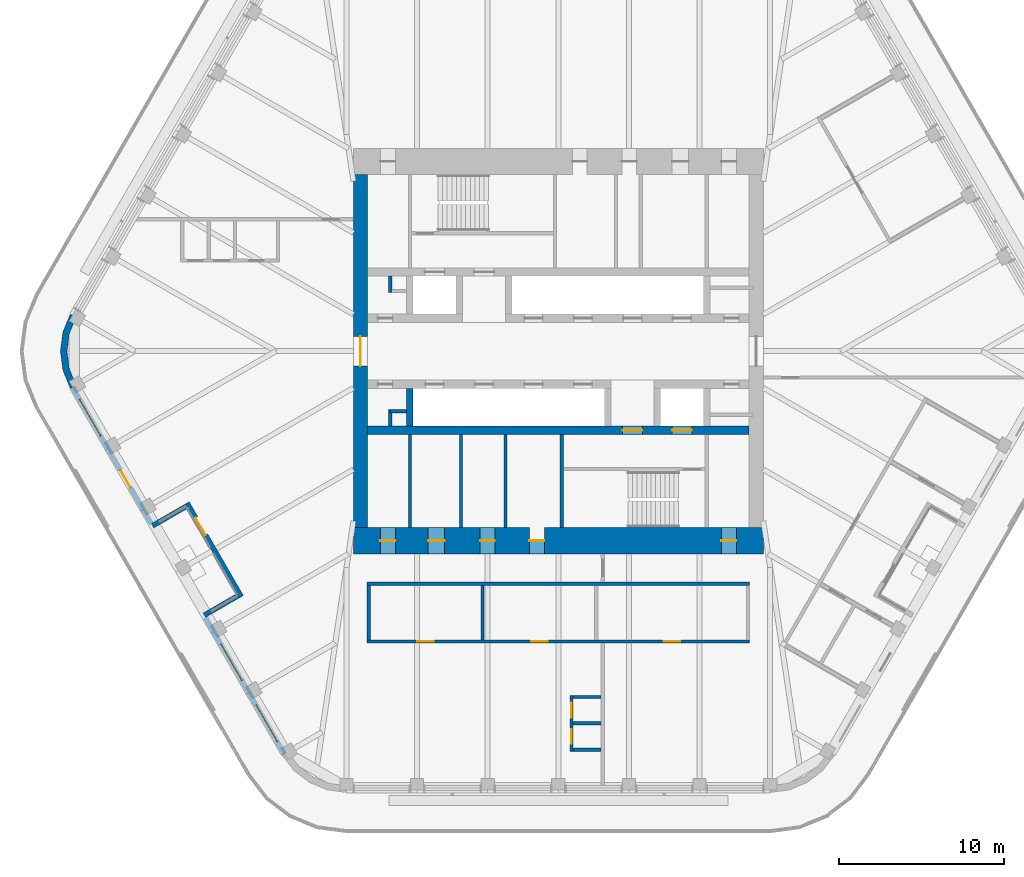
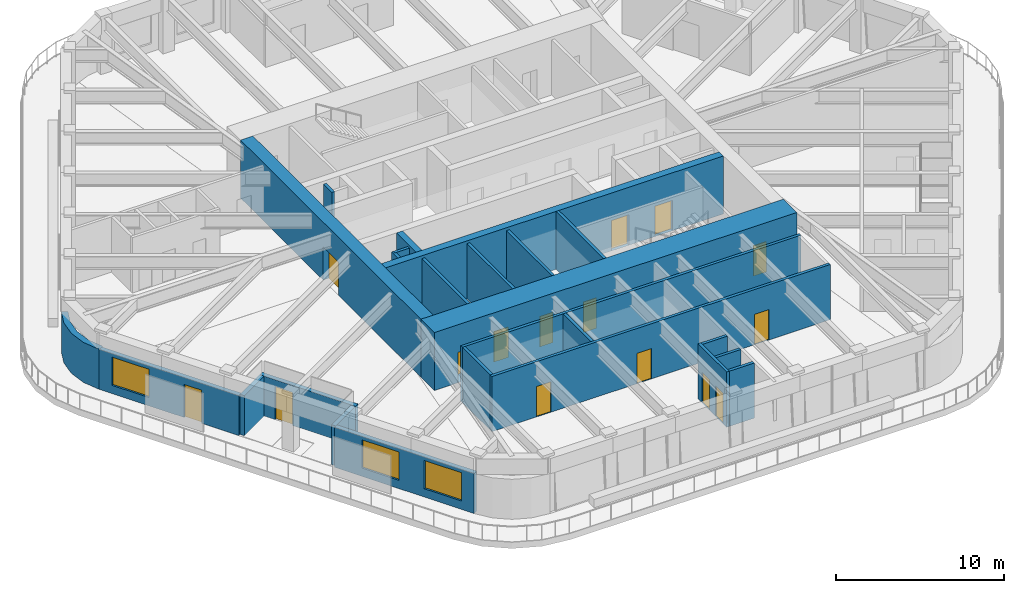
# One storey, part 13 of 20: 25 walls, 15 doors, 3 windows, 18 openings.
"""IFC4 building model written with IfcOpenShell, lengths in metres."""

import ifcopenshell
import ifcopenshell.guid

model = None  # the IFC model being written
_history = None  # IfcOwnerHistory: only IFC2X3 demands one
_inside = {}  # id of a spatial element -> (the spatial element, [elements in it])
_under = {}  # id of a project, library or spatial element -> (it, [spatial elements below it])
_declared = {}  # id of a project -> (the project, [libraries it declares])
_typed = {}  # id of a type object -> (the type object, [elements of that type])
_made_of = {}  # id of a material, layer set ... -> (it, [elements and type objects made of it])


def new_model(schema):
    """Start an empty IFC model of exactly this schema.

    Asked for "IFC4X3", IfcOpenShell would pick the latest addendum, in which some entities
    have other attributes; the version numbers below select the first issue.
    IFC2X3 requires an IfcOwnerHistory on every rooted entity: one is made here for all.
    """
    global model, _history
    if schema == "IFC4X3":
        model = ifcopenshell.file(schema_version=(4, 3, 0, 0))
    else:
        model = ifcopenshell.file(schema=schema)
    _inside.clear()
    _under.clear()
    _declared.clear()
    _typed.clear()
    _made_of.clear()
    _history = None
    if model.schema == "IFC2X3":
        org = make("IfcOrganization", Name="unknown")
        user = make(
            "IfcPersonAndOrganization",
            ThePerson=make("IfcPerson", FamilyName="unknown"),
            TheOrganization=org,
        )
        app = make(
            "IfcApplication",
            ApplicationDeveloper=org,
            Version="unknown",
            ApplicationFullName="unknown",
            ApplicationIdentifier="unknown",
        )
        _history = make(
            "IfcOwnerHistory",
            OwningUser=user,
            OwningApplication=app,
            ChangeAction="ADDED",
            CreationDate=0,
        )
    return model


def make(cls, **values):
    """One entity of the class cls with the attributes given. An attribute that is None is left unset."""
    return model.create_entity(
        cls, **{name: value for name, value in values.items() if value is not None}
    )


def rooted(cls, **values):
    """An entity with a GlobalId (a new one), such as an element, a storey or a relation."""
    return make(cls, GlobalId=ifcopenshell.guid.new(), OwnerHistory=_history, **values)


def si_unit(unit_type, name, prefix=None):
    """IfcSIUnit, for example si_unit("LENGTHUNIT", "METRE", prefix="MILLI")."""
    return make("IfcSIUnit", UnitType=unit_type, Prefix=prefix, Name=name)


def assignment(units):
    """IfcUnitAssignment: the units of a project."""
    return None if units is None else make("IfcUnitAssignment", Units=units)


def point(xyz):
    """IfcCartesianPoint."""
    return None if xyz is None else make("IfcCartesianPoint", Coordinates=xyz)


def direction(xyz):
    """IfcDirection."""
    return None if xyz is None else make("IfcDirection", DirectionRatios=xyz)


def frame(location, z_axis=None, x_axis=None):
    """IfcAxis2Placement3D, a coordinate frame: its origin and axes. An axis left out is left unset."""
    return make(
        "IfcAxis2Placement3D",
        Location=point(location),
        Axis=direction(z_axis),
        RefDirection=direction(x_axis),
    )


def frame_2d(location, x_axis=None):
    """IfcAxis2Placement2D, a coordinate frame in the plane: its origin and x axis."""
    return make(
        "IfcAxis2Placement2D", Location=point(location), RefDirection=direction(x_axis)
    )


def origin():
    """The frame at (0, 0, 0) with its axes left unset."""
    return frame((0.0, 0.0, 0.0))


def place(relative_to, where):
    """IfcLocalPlacement: puts the frame where relative to a parent placement (None: the world)."""
    return make(
        "IfcLocalPlacement", PlacementRelTo=relative_to, RelativePlacement=where
    )


def context(
    kind, dimensions, precision=None, world=None, true_north=None, identifier=None
):
    """IfcGeometricRepresentationContext, for example the 3D "Model" context."""
    return make(
        "IfcGeometricRepresentationContext",
        ContextIdentifier=identifier,
        ContextType=kind,
        CoordinateSpaceDimension=dimensions,
        Precision=precision,
        WorldCoordinateSystem=world,
        TrueNorth=true_north,
    )


def subcontext(parent, identifier, kind, view, scale=None):
    """IfcGeometricRepresentationSubContext, for example "Body" below "Model"."""
    return make(
        "IfcGeometricRepresentationSubContext",
        ContextIdentifier=identifier,
        ContextType=kind,
        ParentContext=parent,
        TargetScale=scale,
        TargetView=view,
    )


def project(units=None, contexts=None):
    """IfcProject with its units and contexts."""
    return rooted(
        "IfcProject",
        Name="project",
        RepresentationContexts=contexts,
        UnitsInContext=assignment(units),
    )


def spatial(cls, under=None, at=None, **own):
    """A site, building, storey or space (cls), placed at a placement, below another one or the project."""
    s = rooted(cls, ObjectPlacement=at, **own)
    if under is not None:
        _under.setdefault(under.id(), (under, []))[1].append(s)
    return s


def polyline(points):
    """IfcPolyline through the points."""
    return make("IfcPolyline", Points=[point(p) for p in points])


def profile(cls, at=None, kind="AREA", **sizes):
    """A parametric profile (cls). Its sizes go by their IFC names, for example OverallWidth=200.0."""
    return make(cls, ProfileType=kind, Position=at, **sizes)


def rectangle(**sizes):
    """IfcRectangleProfileDef."""
    return profile("IfcRectangleProfileDef", **sizes)


def outline(outer, holes=None, kind="AREA"):
    """IfcArbitraryClosedProfileDef: a profile drawn as a closed curve; with holes, ...WithVoids."""
    if holes is None:
        return make("IfcArbitraryClosedProfileDef", ProfileType=kind, OuterCurve=outer)
    return make(
        "IfcArbitraryProfileDefWithVoids",
        ProfileType=kind,
        OuterCurve=outer,
        InnerCurves=holes,
    )


def extrude(swept, where, along, depth):
    """IfcExtrudedAreaSolid: the profile swept, set in the frame where, extruded along a direction by depth."""
    return make(
        "IfcExtrudedAreaSolid",
        SweptArea=swept,
        Position=where,
        ExtrudedDirection=direction(along),
        Depth=depth,
    )


def shape(context_of_items, identifier, shape_type, items):
    """IfcShapeRepresentation: the items that make up one representation, for example the "Body"."""
    return make(
        "IfcShapeRepresentation",
        ContextOfItems=context_of_items,
        RepresentationIdentifier=identifier,
        RepresentationType=shape_type,
        Items=items,
    )


def material(Name=None, Category=None):
    """IfcMaterial."""
    return make("IfcMaterial", Name=Name, Category=Category)


def layer(
    of_material, thickness, ventilated=None, Name=None, Category=None, Priority=None
):
    """IfcMaterialLayer: one layer of a wall or slab, of a material (None: an air gap)."""
    return make(
        "IfcMaterialLayer",
        Material=of_material,
        LayerThickness=thickness,
        IsVentilated=ventilated,
        Name=Name,
        Category=Category,
        Priority=Priority,
    )


def layer_set(layers, Name=None):
    """IfcMaterialLayerSet."""
    return make("IfcMaterialLayerSet", MaterialLayers=layers, LayerSetName=Name)


def made_of(thing, what):
    """Note that an element or type object is made of a material, layer set ...; save() writes the relation."""
    if what is not None:
        _made_of.setdefault(what.id(), (what, []))[1].append(thing)
    return thing


def type_object(cls, material=None, **own):
    """A type object (cls), such as IfcWallType, which elements share."""
    return made_of(rooted(cls, **own), material)


def element(
    cls,
    number,
    at=None,
    inside=None,
    cuts=None,
    type_object=None,
    material=None,
    context=None,
    identifier="Body",
    shape_type=None,
    held_by="IfcProductDefinitionShape",
    body=None,
    shapes=None,
    **own,
):
    """One element of the class cls, such as IfcWall. Its Tag is "e" and its number.

    at: its placement. inside: the storey or other place that contains it. cuts: it is an
    opening in that element (IfcRelVoidsElement). A single representation is given by context,
    identifier, shape_type and body (its items); several are given by shapes. held_by: the class
    of the entity that holds the representations. save() writes the other relations.
    """
    e = rooted(cls, Tag="e%d" % number, ObjectPlacement=at, **own)
    if body is not None:
        shapes = [shape(context, identifier, shape_type, body)]
    if shapes is not None:
        e.Representation = make(held_by, Representations=shapes)
    if inside is not None:
        _inside.setdefault(inside.id(), (inside, []))[1].append(e)
    if cuts is not None:
        rooted(
            "IfcRelVoidsElement", RelatingBuildingElement=cuts, RelatedOpeningElement=e
        )
    if type_object is not None:
        _typed.setdefault(type_object.id(), (type_object, []))[1].append(e)
    return made_of(e, material)


def fill(opening, filler):
    """IfcRelFillsElement: the door or window that sits in an opening."""
    return rooted(
        "IfcRelFillsElement",
        RelatingOpeningElement=opening,
        RelatedBuildingElement=filler,
    )


def aggregate(whole, parts):
    """IfcRelAggregates: a whole, such as a stair, and the parts it consists of."""
    return rooted("IfcRelAggregates", RelatingObject=whole, RelatedObjects=parts)


def save(model, path):
    """Write the relations noted so far, then the file.

    IfcRelAggregates (storeys below a building ...), IfcRelContainedInSpatialStructure (elements
    in a storey), IfcRelDefinesByType, IfcRelAssociatesMaterial and IfcRelDeclares: one each for
    every whole, place, type object, material and project.
    """
    for whole, parts in _under.values():
        aggregate(whole, parts)
    for where, things in _inside.values():
        rooted(
            "IfcRelContainedInSpatialStructure",
            RelatedElements=things,
            RelatingStructure=where,
        )
    for kind, things in _typed.values():
        rooted("IfcRelDefinesByType", RelatedObjects=things, RelatingType=kind)
    for what, things in _made_of.values():
        rooted("IfcRelAssociatesMaterial", RelatedObjects=things, RelatingMaterial=what)
    for by, libraries in _declared.values():
        rooted("IfcRelDeclares", RelatingContext=by, RelatedDefinitions=libraries)
    model.write(path)


model = new_model("IFC4")

# Units and contexts
model_context = context("Model", 3, precision=1e-05, world=origin(), true_north=direction((0.0, 1.0)))
body_context = subcontext(model_context, "Body", "Model", "MODEL_VIEW")
ifc_project = project(units=[si_unit("LENGTHUNIT", "METRE"), si_unit("AREAUNIT", "SQUARE_METRE"), si_unit("VOLUMEUNIT", "CUBIC_METRE"), si_unit("PLANEANGLEUNIT", "RADIAN"), si_unit("MASSUNIT", "GRAM", prefix="KILO")], contexts=[model_context])

# Site, building, storey
site_placement = place(None, origin())
site = spatial("IfcSite", under=ifc_project, at=site_placement, CompositionType="ELEMENT")
building_placement = place(site_placement, origin())
building = spatial("IfcBuilding", under=site, at=building_placement, Name="Tarfa Lantern Tower", CompositionType="ELEMENT")
storey_placement = place(building_placement, frame((0.0, 0.0, 378.699951171875)))
storey = spatial("IfcBuildingStorey", under=building, at=storey_placement, Name="L86", CompositionType="ELEMENT", Elevation=378.699951171875)

# Wall, openings, door, window
ifc_material_1 = material(Name="Limestone cladding on blockwork", Category="masonry")
ifc_layer_1 = layer(ifc_material_1, 0.300048828125)
ifc_layer_set_1 = layer_set([ifc_layer_1], Name="EW1 STONE-CLAD WALL 300")
wall_type_1 = type_object("IfcWallType", Name="EW1 STONE-CLAD WALL 300", PredefinedType="SOLIDWALL", material=ifc_layer_set_1)
wall_1_placement = place(storey_placement, frame((-29.459228515625, -2.175048828125, 0.0), z_axis=(0.0, 0.0, 1.0), x_axis=(0.499996453679, -0.866027451244, 0.0)))
wall_1 = element("IfcWall", 1, at=wall_1_placement, inside=storey, type_object=wall_type_1, Name="Stone wall SW", PredefinedType="SOLIDWALL", context=body_context, shape_type="SweptSolid", body=[
    extrude(rectangle(XDim=9.56396484375, YDim=0.300048828125, at=frame_2d((4.781982421875, 0.0))), origin(), (0.0, 0.0, 1.0), 2.900146484375),
])
opening_1_placement = place(wall_1_placement, frame((0.865966796875, 0.0, 0.60009765625)))
opening_1 = element("IfcOpeningElement", 2, at=opening_1_placement, cuts=wall_1, Name="Opening W17", PredefinedType="OPENING", context=body_context, shape_type="SweptSolid", body=[
    extrude(rectangle(XDim=2.550048828125, YDim=2.050048828125, at=frame_2d((1.27490234375, 1.02490234375))), frame((0.0, 0.159912109375, 0.0), z_axis=(0.0, -1.0, 0.0), x_axis=(1.0, 0.0, 0.0)), (0.0, 0.0, 1.0), 0.320068359375),
])
opening_2_placement = place(wall_1_placement, frame((5.822998046875, 0.0, 0.0)))
opening_2 = element("IfcOpeningElement", 3, at=opening_2_placement, cuts=wall_1, Name="Opening D43", PredefinedType="OPENING", context=body_context, shape_type="SweptSolid", body=[
    extrude(rectangle(XDim=1.199951171875, YDim=2.39990234375, at=frame_2d((0.60009765625, 1.199951171875))), frame((0.0, 0.159912109375, 0.0), z_axis=(0.0, -1.0, 0.0), x_axis=(1.0, 0.0, 0.0)), (0.0, 0.0, 1.0), 0.320068359375),
])
ifc_material_2 = material(Name="Aluminium framed glazed door", Category="aluminium")
door_type_1 = type_object("IfcDoorType", Name="BE3 BALCONY DOOR 1200x2400", OperationType="SINGLE_SWING_RIGHT", PredefinedType="DOOR", material=ifc_material_2)
door_1_placement = place(opening_2_placement, origin())
door_1 = element("IfcDoor", 4, at=door_1_placement, inside=storey, type_object=door_type_1, Name="Balcony door SW", OperationType="SINGLE_SWING_LEFT", OverallHeight=2.39990234375, OverallWidth=1.199951171875, PredefinedType="DOOR", context=body_context, shape_type="SweptSolid", body=[
    extrude(rectangle(XDim=1.199951171875, YDim=2.39990234375, at=frame_2d((0.60009765625, 1.199951171875))), frame((0.0, 0.02490234375, 0.0), z_axis=(0.0, -1.0, 0.0), x_axis=(1.0, 0.0, 0.0)), (0.0, 0.0, 1.0), 0.050048828125),
])
fill(opening_2, door_1)
ifc_material_3 = material(Name="Aluminium frame, double glazed", Category="aluminium")
window_type = type_object("IfcWindowType", Name="W17 FULL-HEIGHT GLAZING 2550x2050", PartitioningType="SINGLE_PANEL", PredefinedType="WINDOW", material=ifc_material_3)
window_1_placement = place(opening_1_placement, origin())
window_1 = element("IfcWindow", 5, at=window_1_placement, inside=storey, type_object=window_type, Name="Window SW 1", OverallHeight=2.050048828125, OverallWidth=2.550048828125, PartitioningType="SINGLE_PANEL", PredefinedType="WINDOW", context=body_context, shape_type="SweptSolid", body=[
    extrude(rectangle(XDim=2.550048828125, YDim=2.050048828125, at=frame_2d((1.27490234375, 1.02490234375))), frame((0.0, 0.030029296875, 0.0), z_axis=(0.0, -1.0, 0.0), x_axis=(1.0, 0.0, 0.0)), (0.0, 0.0, 1.0), 0.06005859375),
])
fill(opening_1, window_1)

# Wall, openings, windows
wall_2_placement = place(storey_placement, frame((-21.395263671875, -16.142333984375, 0.0), z_axis=(0.0, 0.0, 1.0), x_axis=(0.499996453679, -0.866027451244, 0.0)))
wall_2 = element("IfcWall", 6, at=wall_2_placement, inside=storey, type_object=wall_type_1, Name="Stone wall SWB", PredefinedType="SOLIDWALL", context=body_context, shape_type="SweptSolid", body=[
    extrude(rectangle(XDim=9.56396484375, YDim=0.300048828125, at=frame_2d((4.781982421875, 0.0))), origin(), (0.0, 0.0, 1.0), 2.900146484375),
])
opening_3_placement = place(wall_2_placement, frame((1.865966796875, 0.0, 0.60009765625)))
opening_3 = element("IfcOpeningElement", 7, at=opening_3_placement, cuts=wall_2, Name="Opening W17", PredefinedType="OPENING", context=body_context, shape_type="SweptSolid", body=[
    extrude(rectangle(XDim=2.550048828125, YDim=2.050048828125, at=frame_2d((1.27490234375, 1.02490234375))), frame((0.0, 0.159912109375, 0.0), z_axis=(0.0, -1.0, 0.0), x_axis=(1.0, 0.0, 0.0)), (0.0, 0.0, 1.0), 0.320068359375),
])
opening_4_placement = place(wall_2_placement, frame((6.14794921875, 0.0, 0.60009765625)))
opening_4 = element("IfcOpeningElement", 8, at=opening_4_placement, cuts=wall_2, Name="Opening W17", PredefinedType="OPENING", context=body_context, shape_type="SweptSolid", body=[
    extrude(rectangle(XDim=2.550048828125, YDim=2.050048828125, at=frame_2d((1.27490234375, 1.02490234375))), frame((0.0, 0.159912109375, 0.0), z_axis=(0.0, -1.0, 0.0), x_axis=(1.0, 0.0, 0.0)), (0.0, 0.0, 1.0), 0.320068359375),
])
window_2_placement = place(opening_3_placement, origin())
window_2 = element("IfcWindow", 9, at=window_2_placement, inside=storey, type_object=window_type, Name="Window SWB 1", OverallHeight=2.050048828125, OverallWidth=2.550048828125, PartitioningType="SINGLE_PANEL", PredefinedType="WINDOW", context=body_context, shape_type="SweptSolid", body=[
    extrude(rectangle(XDim=2.550048828125, YDim=2.050048828125, at=frame_2d((1.27490234375, 1.02490234375))), frame((0.0, 0.030029296875, 0.0), z_axis=(0.0, -1.0, 0.0), x_axis=(1.0, 0.0, 0.0)), (0.0, 0.0, 1.0), 0.06005859375),
])
fill(opening_3, window_2)
window_3_placement = place(opening_4_placement, origin())
window_3 = element("IfcWindow", 10, at=window_3_placement, inside=storey, type_object=window_type, Name="Window SWB 2", OverallHeight=2.050048828125, OverallWidth=2.550048828125, PartitioningType="SINGLE_PANEL", PredefinedType="WINDOW", context=body_context, shape_type="SweptSolid", body=[
    extrude(rectangle(XDim=2.550048828125, YDim=2.050048828125, at=frame_2d((1.27490234375, 1.02490234375))), frame((0.0, 0.030029296875, 0.0), z_axis=(0.0, -1.0, 0.0), x_axis=(1.0, 0.0, 0.0)), (0.0, 0.0, 1.0), 0.06005859375),
])
fill(opening_4, window_3)

# Walls
for number, where, z_axis, x_axis, name in (
    (11, (-24.602294921875, -10.587646484375, 0.0), (0.0, 0.0, 1.0), (0.866016039709, 0.500016218704, 0.0), "Terrace return SW 1"),
    (12, (-21.47021484375, -16.012451171875, 0.0), (0.0, 0.0, 1.0), (0.866016039709, 0.500016218704, 0.0), "Terrace return SW 2"),
):
    element("IfcWall", number, at=place(storey_placement, frame(where, z_axis=z_axis, x_axis=x_axis)), inside=storey, type_object=wall_type_1, Name=name, PredefinedType="SOLIDWALL", context=body_context, shape_type="SweptSolid", body=[
        extrude(rectangle(XDim=2.35009765625, YDim=0.300048828125, at=frame_2d((1.175048828125, 0.0))), origin(), (0.0, 0.0, 1.0), 2.900146484375),
    ])

# Wall, opening, door
wall_3_placement = place(storey_placement, frame((-22.51220703125, -9.207763671875, 0.0), z_axis=(0.0, 0.0, 1.0), x_axis=(0.499999339774, -0.866025784966, 0.0)))
wall_3 = element("IfcWall", 13, at=wall_3_placement, inside=storey, type_object=wall_type_1, Name="Stone wall SWS", PredefinedType="SOLIDWALL", context=body_context, shape_type="SweptSolid", body=[
    extrude(rectangle(XDim=6.56396484375, YDim=0.300048828125, at=frame_2d((3.281982421875, 0.0))), origin(), (0.0, 0.0, 1.0), 2.900146484375),
])
opening_5_placement = place(wall_3_placement, frame((1.041015625, 0.0, 0.0)))
opening_5 = element("IfcOpeningElement", 14, at=opening_5_placement, cuts=wall_3, Name="Opening D44", PredefinedType="OPENING", context=body_context, shape_type="SweptSolid", body=[
    extrude(rectangle(XDim=1.199951171875, YDim=2.39990234375, at=frame_2d((0.60009765625, 1.199951171875))), frame((0.0, 0.159912109375, 0.0), z_axis=(0.0, -1.0, 0.0), x_axis=(1.0, 0.0, 0.0)), (0.0, 0.0, 1.0), 0.320068359375),
])
door_2_placement = place(opening_5_placement, origin())
door_2 = element("IfcDoor", 15, at=door_2_placement, inside=storey, type_object=door_type_1, Name="Balcony door SWS", OperationType="SINGLE_SWING_RIGHT", OverallHeight=2.39990234375, OverallWidth=1.199951171875, PredefinedType="DOOR", context=body_context, shape_type="SweptSolid", body=[
    extrude(rectangle(XDim=1.199951171875, YDim=2.39990234375, at=frame_2d((0.60009765625, 1.199951171875))), frame((0.0, 0.02490234375, 0.0), z_axis=(0.0, -1.0, 0.0), x_axis=(1.0, 0.0, 0.0)), (0.0, 0.0, 1.0), 0.050048828125),
])
fill(opening_5, door_2)

# Walls
ifc_layer_2 = layer(ifc_material_1, 0.39990234375)
ifc_layer_set_2 = layer_set([ifc_layer_2], Name="EW2 CURVED STONE CORNER 400")
wall_type_2 = type_object("IfcWallType", Name="EW2 CURVED STONE CORNER 400", PredefinedType="SOLIDWALL", material=ifc_layer_set_2)
wall_4_placement = place(storey_placement, origin())
element("IfcWall", 16, at=wall_4_placement, inside=storey, type_object=wall_type_2, Name="Stone corner NW-SW", PredefinedType="SOLIDWALL", context=body_context, shape_type="SweptSolid", body=[
    extrude(outline(polyline([(-29.589111328125, 2.25), (-30.038818359375, 1.164794921875), (-30.192138671875, 0.0), (-30.038818359375, -1.164794921875), (-29.589111328125, -2.25), (-29.24267578125, -2.050048828125), (-29.65234375, -1.061279296875), (-29.7919921875, 0.0), (-29.65234375, 1.061279296875), (-29.24267578125, 2.050048828125), (-29.589111328125, 2.25)])), origin(), (0.0, 0.0, 1.0), 2.900146484375),
])
ifc_material_4 = material(Name="Concrete blockwork", Category="masonry")
ifc_layer_3 = layer(ifc_material_4, 0.199951171875)
ifc_layer_set_3 = layer_set([ifc_layer_3], Name="IW1 BLOCKWORK PARTITION 200 EI 120")
wall_type_3 = type_object("IfcWallType", Name="IW1 BLOCKWORK PARTITION 200 EI 120", PredefinedType="PARTITIONING", material=ifc_layer_set_3)
for number, where, z_axis, x_axis, name in (
    (17, (-9.0, -5.050048828125, 0.0), (0.0, 0.0, 1.0), (0.0, -1.0, 0.0), "Core partition"),
    (18, (-3.199951171875, -5.050048828125, 0.0), (0.0, 0.0, 1.0), (0.0, -1.0, 0.0), "Core partition"),
    (19, (-5.89990234375, -5.050048828125, 0.0), (0.0, 0.0, 1.0), (0.0, -1.0, 0.0), "Core partition"),
):
    element("IfcWall", number, at=place(storey_placement, frame(where, z_axis=z_axis, x_axis=x_axis)), inside=storey, type_object=wall_type_3, Name=name, PredefinedType="PARTITIONING", context=body_context, shape_type="SweptSolid", body=[
        extrude(rectangle(XDim=5.64990234375, YDim=0.199951171875, at=frame_2d((2.824951171875, 0.0))), origin(), (0.0, 0.0, 1.0), 4.0),
    ])
for number, where, z_axis, x_axis, name in (
    (20, (-10.199951171875, 3.550048828125, 0.0), (0.0, 0.0, 1.0), (0.0, 1.0, 0.0), "Core partition"),
    (21, (-9.199951171875, -3.64990234375, 0.0), (0.0, 0.0, 1.0), (-1.0, 0.0, 0.0), "Core partition"),
    (22, (-10.199951171875, -3.550048828125, 0.0), (0.0, 0.0, 1.0), (0.0, -1.0, 0.0), "Core partition"),
):
    element("IfcWall", number, at=place(storey_placement, frame(where, z_axis=z_axis, x_axis=x_axis)), inside=storey, type_object=wall_type_3, Name=name, PredefinedType="PARTITIONING", context=body_context, shape_type="SweptSolid", body=[
        extrude(rectangle(XDim=1.0, YDim=0.199951171875, at=frame_2d((0.5, 0.0))), origin(), (0.0, 0.0, 1.0), 4.0),
    ])
ifc_material_5 = material(Name="Gypsum board on steel studs", Category="steel")
ifc_layer_4 = layer(ifc_material_5, 0.2099609375)
ifc_layer_set_4 = layer_set([ifc_layer_4], Name="IW2 ACOUSTIC PARTITION 200")
wall_type_4 = type_object("IfcWallType", Name="IW2 ACOUSTIC PARTITION 200", PredefinedType="PARTITIONING", material=ifc_layer_set_4)
wall_5_placement = place(storey_placement, frame((11.60009765625, -14.10009765625, 0.0), z_axis=(0.0, 0.0, 1.0), x_axis=(-1.0, 0.0, 0.0)))
element("IfcWall", 23, at=wall_5_placement, inside=storey, type_object=wall_type_4, Name="Partition", PredefinedType="PARTITIONING", context=body_context, shape_type="SweptSolid", body=[
    extrude(rectangle(XDim=23.2001953125, YDim=0.199951171875, at=frame_2d((11.60009765625, 0.0))), origin(), (0.0, 0.0, 1.0), 4.0),
])

# Wall, openings, doors
wall_6_placement = place(storey_placement, frame((11.60009765625, -17.60009765625, 0.0), z_axis=(0.0, 0.0, 1.0), x_axis=(-1.0, 0.0, 0.0)))
wall_6 = element("IfcWall", 24, at=wall_6_placement, inside=storey, type_object=wall_type_4, Name="Partition", PredefinedType="PARTITIONING", context=body_context, shape_type="SweptSolid", body=[
    extrude(rectangle(XDim=23.2001953125, YDim=0.199951171875, at=frame_2d((11.60009765625, 0.0))), origin(), (0.0, 0.0, 1.0), 4.0),
])
opening_6_placement = place(wall_6_placement, frame((4.199951171875, 0.0, 0.0)))
opening_6 = element("IfcOpeningElement", 25, at=opening_6_placement, cuts=wall_6, Name="Opening D28", PredefinedType="OPENING", context=body_context, shape_type="SweptSolid", body=[
    extrude(rectangle(XDim=1.0, YDim=2.199951171875, at=frame_2d((0.5, 1.10009765625))), frame((0.0, 0.10986328125, 0.0), z_axis=(0.0, -1.0, 0.0), x_axis=(1.0, 0.0, 0.0)), (0.0, 0.0, 1.0), 0.219970703125),
])
opening_7_placement = place(wall_6_placement, frame((12.25, 0.0, 0.0)))
opening_7 = element("IfcOpeningElement", 26, at=opening_7_placement, cuts=wall_6, Name="Opening D29", PredefinedType="OPENING", context=body_context, shape_type="SweptSolid", body=[
    extrude(rectangle(XDim=1.0, YDim=2.199951171875, at=frame_2d((0.5, 1.10009765625))), frame((0.0, 0.10986328125, 0.0), z_axis=(0.0, -1.0, 0.0), x_axis=(1.0, 0.0, 0.0)), (0.0, 0.0, 1.0), 0.219970703125),
])
opening_8_placement = place(wall_6_placement, frame((19.14990234375, 0.0, 0.0)))
opening_8 = element("IfcOpeningElement", 27, at=opening_8_placement, cuts=wall_6, Name="Opening D30", PredefinedType="OPENING", context=body_context, shape_type="SweptSolid", body=[
    extrude(rectangle(XDim=1.0, YDim=2.199951171875, at=frame_2d((0.5, 1.10009765625))), frame((0.0, 0.10986328125, 0.0), z_axis=(0.0, -1.0, 0.0), x_axis=(1.0, 0.0, 0.0)), (0.0, 0.0, 1.0), 0.219970703125),
])
ifc_material_6 = material(Name="Timber door", Category="wood")
door_type_2 = type_object("IfcDoorType", Name="DR1 ROOM DOOR 1000x2200", OperationType="SINGLE_SWING_LEFT", PredefinedType="DOOR", material=ifc_material_6)
door_3_placement = place(opening_6_placement, frame((1.0, 0.0, 0.0), z_axis=(0.0, 0.0, 1.0), x_axis=(-1.0, 0.0, 0.0)))
door_3 = element("IfcDoor", 28, at=door_3_placement, inside=storey, type_object=door_type_2, Name="Pantry door", OperationType="SINGLE_SWING_LEFT", OverallHeight=2.199951171875, OverallWidth=1.0, PredefinedType="DOOR", context=body_context, shape_type="SweptSolid", body=[
    extrude(rectangle(XDim=1.0, YDim=2.199951171875, at=frame_2d((0.5, 1.10009765625))), frame((0.0, 0.02490234375, 0.0), z_axis=(0.0, -1.0, 0.0), x_axis=(1.0, 0.0, 0.0)), (0.0, 0.0, 1.0), 0.050048828125),
])
fill(opening_6, door_3)
door_4_placement = place(opening_7_placement, frame((1.0, 0.0, 0.0), z_axis=(0.0, 0.0, 1.0), x_axis=(-1.0, 0.0, 0.0)))
door_4 = element("IfcDoor", 29, at=door_4_placement, inside=storey, type_object=door_type_2, Name="Guest lounge door", OperationType="SINGLE_SWING_RIGHT", OverallHeight=2.199951171875, OverallWidth=1.0, PredefinedType="DOOR", context=body_context, shape_type="SweptSolid", body=[
    extrude(rectangle(XDim=1.0, YDim=2.199951171875, at=frame_2d((0.5, 1.10009765625))), frame((0.0, 0.02490234375, 0.0), z_axis=(0.0, -1.0, 0.0), x_axis=(1.0, 0.0, 0.0)), (0.0, 0.0, 1.0), 0.050048828125),
])
fill(opening_7, door_4)
door_5_placement = place(opening_8_placement, frame((1.0, 0.0, 0.0), z_axis=(0.0, 0.0, 1.0), x_axis=(-1.0, 0.0, 0.0)))
door_5 = element("IfcDoor", 30, at=door_5_placement, inside=storey, type_object=door_type_2, Name="Chairman's lounge door", OperationType="SINGLE_SWING_RIGHT", OverallHeight=2.199951171875, OverallWidth=1.0, PredefinedType="DOOR", context=body_context, shape_type="SweptSolid", body=[
    extrude(rectangle(XDim=1.0, YDim=2.199951171875, at=frame_2d((0.5, 1.10009765625))), frame((0.0, 0.02490234375, 0.0), z_axis=(0.0, -1.0, 0.0), x_axis=(1.0, 0.0, 0.0)), (0.0, 0.0, 1.0), 0.050048828125),
])
fill(opening_8, door_5)

# Walls
for number, where, z_axis, x_axis, name in (
    (31, (-4.60009765625, -14.199951171875, 0.0), (0.0, 0.0, 1.0), (0.0, -1.0, 0.0), "Partition"),
    (32, (-11.5, -14.199951171875, 0.0), (0.0, 0.0, 1.0), (0.0, -1.0, 0.0), "Partition"),
):
    element("IfcWall", number, at=place(storey_placement, frame(where, z_axis=z_axis, x_axis=x_axis)), inside=storey, type_object=wall_type_4, Name=name, PredefinedType="PARTITIONING", context=body_context, shape_type="SweptSolid", body=[
        extrude(rectangle(XDim=3.300048828125, YDim=0.199951171875, at=frame_2d((1.64990234375, 0.0))), origin(), (0.0, 0.0, 1.0), 4.0),
    ])

# Wall, openings, doors
wall_7_placement = place(storey_placement, frame((0.800048828125, -20.867431640625, 0.0), z_axis=(0.0, 0.0, 1.0), x_axis=(0.0, -1.0, 0.0)))
wall_7 = element("IfcWall", 33, at=wall_7_placement, inside=storey, type_object=wall_type_4, Name="Partition", PredefinedType="PARTITIONING", context=body_context, shape_type="SweptSolid", body=[
    extrude(rectangle(XDim=3.400146484375, YDim=0.199951171875, at=frame_2d((1.7001953125, 0.0))), origin(), (0.0, 0.0, 1.0), 4.0),
])
opening_9_placement = place(wall_7_placement, frame((0.449951171875, 0.0, 0.0)))
opening_9 = element("IfcOpeningElement", 34, at=opening_9_placement, cuts=wall_7, Name="Opening D34", PredefinedType="OPENING", context=body_context, shape_type="SweptSolid", body=[
    extrude(rectangle(XDim=0.89990234375, YDim=2.199951171875, at=frame_2d((0.449951171875, 1.10009765625))), frame((0.0, 0.10986328125, 0.0), z_axis=(0.0, -1.0, 0.0), x_axis=(1.0, 0.0, 0.0)), (0.0, 0.0, 1.0), 0.219970703125),
])
opening_10_placement = place(wall_7_placement, frame((2.050048828125, 0.0, 0.0)))
opening_10 = element("IfcOpeningElement", 35, at=opening_10_placement, cuts=wall_7, Name="Opening D35", PredefinedType="OPENING", context=body_context, shape_type="SweptSolid", body=[
    extrude(rectangle(XDim=0.89990234375, YDim=2.199951171875, at=frame_2d((0.449951171875, 1.10009765625))), frame((0.0, 0.10986328125, 0.0), z_axis=(0.0, -1.0, 0.0), x_axis=(1.0, 0.0, 0.0)), (0.0, 0.0, 1.0), 0.219970703125),
])
door_type_3 = type_object("IfcDoorType", Name="DR3 ROOM DOOR 900x2200", OperationType="SINGLE_SWING_LEFT", PredefinedType="DOOR", material=ifc_material_6)
door_6_placement = place(opening_9_placement, origin())
door_6 = element("IfcDoor", 36, at=door_6_placement, inside=storey, type_object=door_type_3, Name="Phone booth door", OperationType="SINGLE_SWING_RIGHT", OverallHeight=2.199951171875, OverallWidth=0.89990234375, PredefinedType="DOOR", context=body_context, shape_type="SweptSolid", body=[
    extrude(rectangle(XDim=0.89990234375, YDim=2.199951171875, at=frame_2d((0.449951171875, 1.10009765625))), frame((0.0, 0.02490234375, 0.0), z_axis=(0.0, -1.0, 0.0), x_axis=(1.0, 0.0, 0.0)), (0.0, 0.0, 1.0), 0.050048828125),
])
fill(opening_9, door_6)
door_7_placement = place(opening_10_placement, origin())
door_7 = element("IfcDoor", 37, at=door_7_placement, inside=storey, type_object=door_type_3, Name="Phone booth door", OperationType="SINGLE_SWING_LEFT", OverallHeight=2.199951171875, OverallWidth=0.89990234375, PredefinedType="DOOR", context=body_context, shape_type="SweptSolid", body=[
    extrude(rectangle(XDim=0.89990234375, YDim=2.199951171875, at=frame_2d((0.449951171875, 1.10009765625))), frame((0.0, 0.02490234375, 0.0), z_axis=(0.0, -1.0, 0.0), x_axis=(1.0, 0.0, 0.0)), (0.0, 0.0, 1.0), 0.050048828125),
])
fill(opening_10, door_7)

# Walls
for number, where, z_axis, x_axis, name in (
    (38, (2.60009765625, -20.967529296875, 0.0), (0.0, 0.0, 1.0), (-1.0, 0.0, 0.0), "Partition"),
    (39, (2.60009765625, -22.5673828125, 0.0), (0.0, 0.0, 1.0), (-1.0, 0.0, 0.0), "Partition"),
    (40, (2.60009765625, -24.16748046875, 0.0), (0.0, 0.0, 1.0), (-1.0, 0.0, 0.0), "Partition"),
):
    element("IfcWall", number, at=place(storey_placement, frame(where, z_axis=z_axis, x_axis=x_axis)), inside=storey, type_object=wall_type_4, Name=name, PredefinedType="PARTITIONING", context=body_context, shape_type="SweptSolid", body=[
        extrude(rectangle(XDim=1.7001953125, YDim=0.199951171875, at=frame_2d((0.85009765625, 0.0))), origin(), (0.0, 0.0, 1.0), 4.0),
    ])
ifc_material_7 = material(Name="Concrete C80/95", Category="concrete")
ifc_layer_5 = layer(ifc_material_7, 0.199951171875)
ifc_layer_set_5 = layer_set([ifc_layer_5], Name="SW12 CORE WALL 200")
wall_type_5 = type_object("IfcWallType", Name="SW12 CORE WALL 200", PredefinedType="SHEAR", material=ifc_layer_set_5)
wall_8_placement = place(storey_placement, frame((0.199951171875, -5.050048828125, 0.0), z_axis=(0.0, 0.0, 1.0), x_axis=(0.0, -1.0, 0.0)))
element("IfcWall", 41, at=wall_8_placement, inside=storey, type_object=wall_type_5, Name="Core wall stair shaft S", PredefinedType="SHEAR", context=body_context, shape_type="SweptSolid", body=[
    extrude(rectangle(XDim=5.64990234375, YDim=0.199951171875, at=frame_2d((2.824951171875, 0.0))), origin(), (0.0, 0.0, 1.0), 4.199951171875),
])

# Wall, opening, door
ifc_layer_6 = layer(ifc_material_7, 0.85009765625)
ifc_layer_set_6 = layer_set([ifc_layer_6], Name="SW3 CORE WALL 850")
wall_type_6 = type_object("IfcWallType", Name="SW3 CORE WALL 850", PredefinedType="SHEAR", material=ifc_layer_set_6)
wall_9_placement = place(storey_placement, frame((-12.0, 10.699951171875, 0.0), z_axis=(0.0, 0.0, 1.0), x_axis=(0.0, -1.0, 0.0)))
wall_9 = element("IfcWall", 42, at=wall_9_placement, inside=storey, type_object=wall_type_6, Name="Core wall W", PredefinedType="SHEAR", context=body_context, shape_type="SweptSolid", body=[
    extrude(rectangle(XDim=21.39990234375, YDim=0.85009765625, at=frame_2d((10.699951171875, 0.0))), origin(), (0.0, 0.0, 1.0), 4.199951171875),
])
opening_11_placement = place(wall_9_placement, frame((9.800048828125, 0.0, 0.0)))
opening_11 = element("IfcOpeningElement", 43, at=opening_11_placement, cuts=wall_9, Name="Opening D08", PredefinedType="OPENING", context=body_context, shape_type="SweptSolid", body=[
    extrude(rectangle(XDim=1.800048828125, YDim=2.39990234375, at=frame_2d((0.89990234375, 1.199951171875))), frame((0.0, 0.43505859375, 0.0), z_axis=(0.0, -1.0, 0.0), x_axis=(1.0, 0.0, 0.0)), (0.0, 0.0, 1.0), 0.8701171875),
])
ifc_material_8 = material(Name="Steel fire door", Category="steel")
door_type_4 = type_object("IfcDoorType", Name="DL1 LOBBY DOOR 1800x2400", OperationType="DOUBLE_DOOR_SINGLE_SWING", PredefinedType="DOOR", material=ifc_material_8)
door_8_placement = place(opening_11_placement, frame((1.800048828125, 0.0, 0.0), z_axis=(0.0, 0.0, 1.0), x_axis=(-1.0, 0.0, 0.0)))
door_8 = element("IfcDoor", 44, at=door_8_placement, inside=storey, type_object=door_type_4, Name="Lift lobby door", OperationType="DOUBLE_DOOR_SINGLE_SWING", OverallHeight=2.39990234375, OverallWidth=1.800048828125, PredefinedType="DOOR", context=body_context, shape_type="SweptSolid", body=[
    extrude(rectangle(XDim=1.800048828125, YDim=2.39990234375, at=frame_2d((0.89990234375, 1.199951171875))), frame((0.0, 0.02490234375, 0.0), z_axis=(0.0, -1.0, 0.0), x_axis=(1.0, 0.0, 0.0)), (0.0, 0.0, 1.0), 0.050048828125),
])
fill(opening_11, door_8)

# Wall, openings, doors
ifc_layer_7 = layer(ifc_material_7, 0.5)
ifc_layer_set_7 = layer_set([ifc_layer_7], Name="SW5 CORE WALL 500")
wall_type_7 = type_object("IfcWallType", Name="SW5 CORE WALL 500", PredefinedType="SHEAR", material=ifc_layer_set_7)
wall_10_placement = place(storey_placement, frame((11.574951171875, -4.800048828125, 0.0), z_axis=(0.0, 0.0, 1.0), x_axis=(-1.0, 0.0, 0.0)))
wall_10 = element("IfcWall", 45, at=wall_10_placement, inside=storey, type_object=wall_type_7, Name="Core wall rear S", PredefinedType="SHEAR", context=body_context, shape_type="SweptSolid", body=[
    extrude(rectangle(XDim=23.14990234375, YDim=0.5, at=frame_2d((11.574951171875, 0.0))), origin(), (0.0, 0.0, 1.0), 4.199951171875),
])
opening_12_placement = place(wall_10_placement, frame((6.47509765625, 0.0, 0.0)))
opening_12 = element("IfcOpeningElement", 46, at=opening_12_placement, cuts=wall_10, Name="Opening D06", PredefinedType="OPENING", context=body_context, shape_type="SweptSolid", body=[
    extrude(rectangle(XDim=1.199951171875, YDim=2.199951171875, at=frame_2d((0.60009765625, 1.10009765625))), frame((0.0, 0.260009765625, 0.0), z_axis=(0.0, -1.0, 0.0), x_axis=(1.0, 0.0, 0.0)), (0.0, 0.0, 1.0), 0.52001953125),
])
opening_13_placement = place(wall_10_placement, frame((3.47509765625, 0.0, 0.0)))
opening_13 = element("IfcOpeningElement", 47, at=opening_13_placement, cuts=wall_10, Name="Opening LD02", PredefinedType="OPENING", context=body_context, shape_type="SweptSolid", body=[
    extrude(rectangle(XDim=1.199951171875, YDim=2.199951171875, at=frame_2d((0.60009765625, 1.10009765625))), frame((0.0, 0.260009765625, 0.0), z_axis=(0.0, -1.0, 0.0), x_axis=(1.0, 0.0, 0.0)), (0.0, 0.0, 1.0), 0.52001953125),
])
door_type_5 = type_object("IfcDoorType", Name="DF1 FIREFIGHTING LOBBY DOOR 1200x2200", OperationType="SINGLE_SWING_LEFT", PredefinedType="DOOR", material=ifc_material_8)
door_9_placement = place(opening_12_placement, origin())
door_9 = element("IfcDoor", 48, at=door_9_placement, inside=storey, type_object=door_type_5, Name="Firefighting lobby door", OperationType="SINGLE_SWING_LEFT", OverallHeight=2.199951171875, OverallWidth=1.199951171875, PredefinedType="DOOR", context=body_context, shape_type="SweptSolid", body=[
    extrude(rectangle(XDim=1.199951171875, YDim=2.199951171875, at=frame_2d((0.60009765625, 1.10009765625))), frame((0.0, 0.02490234375, 0.0), z_axis=(0.0, -1.0, 0.0), x_axis=(1.0, 0.0, 0.0)), (0.0, 0.0, 1.0), 0.050048828125),
])
fill(opening_12, door_9)
ifc_material_9 = material(Name="Stainless steel lift door", Category="steel")
door_type_6 = type_object("IfcDoorType", Name="LD1 LIFT LANDING DOOR 1200x2200", OperationType="SLIDING_TO_LEFT", PredefinedType="DOOR", material=ifc_material_9)
door_10_placement = place(opening_13_placement, origin())
door_10 = element("IfcDoor", 49, at=door_10_placement, inside=storey, type_object=door_type_6, Name="Landing door FL2", OperationType="SLIDING_TO_LEFT", OverallHeight=2.199951171875, OverallWidth=1.199951171875, PredefinedType="DOOR", context=body_context, shape_type="SweptSolid", body=[
    extrude(rectangle(XDim=1.199951171875, YDim=2.199951171875, at=frame_2d((0.60009765625, 1.10009765625))), frame((0.0, 0.02490234375, 0.0), z_axis=(0.0, -1.0, 0.0), x_axis=(1.0, 0.0, 0.0)), (0.0, 0.0, 1.0), 0.050048828125),
])
fill(opening_13, door_10)

# Wall
ifc_layer_8 = layer(ifc_material_7, 0.39990234375)
ifc_layer_set_8 = layer_set([ifc_layer_8], Name="SW6 CORE WALL 400")
wall_type_8 = type_object("IfcWallType", Name="SW6 CORE WALL 400", PredefinedType="SHEAR", material=ifc_layer_set_8)
wall_11_placement = place(storey_placement, frame((-9.0, -2.25, 0.0), z_axis=(0.0, 0.0, 1.0), x_axis=(0.0, -1.0, 0.0)))
element("IfcWall", 50, at=wall_11_placement, inside=storey, type_object=wall_type_8, Name="Core wall divider S", PredefinedType="SHEAR", context=body_context, shape_type="SweptSolid", body=[
    extrude(rectangle(XDim=2.300048828125, YDim=0.39990234375, at=frame_2d((1.14990234375, 0.0))), origin(), (0.0, 0.0, 1.0), 4.199951171875),
])

# Wall, openings, doors
ifc_layer_9 = layer(ifc_material_7, 1.60009765625)
ifc_layer_set_9 = layer_set([ifc_layer_9], Name="SW7 CORE WALL 1600")
wall_type_9 = type_object("IfcWallType", Name="SW7 CORE WALL 1600", PredefinedType="SHEAR", material=ifc_layer_set_9)
wall_12_placement = place(storey_placement, frame((12.425048828125, -11.5, 0.0), z_axis=(0.0, 0.0, 1.0), x_axis=(-1.0, 0.0, 0.0)))
wall_12 = element("IfcWall", 51, at=wall_12_placement, inside=storey, type_object=wall_type_9, Name="Core wall S", PredefinedType="SHEAR", context=body_context, shape_type="SweptSolid", body=[
    extrude(rectangle(XDim=24.85009765625, YDim=1.60009765625, at=frame_2d((12.425048828125, 0.0))), origin(), (0.0, 0.0, 1.0), 4.199951171875),
])
opening_14_placement = place(wall_12_placement, frame((13.27490234375, 0.0, 0.0)))
opening_14 = element("IfcOpeningElement", 52, at=opening_14_placement, cuts=wall_12, Name="Opening D14", PredefinedType="OPENING", context=body_context, shape_type="SweptSolid", body=[
    extrude(rectangle(XDim=0.89990234375, YDim=2.199951171875, at=frame_2d((0.449951171875, 1.10009765625))), frame((0.0, 0.81005859375, 0.0), z_axis=(0.0, -1.0, 0.0), x_axis=(1.0, 0.0, 0.0)), (0.0, 0.0, 1.0), 1.6201171875),
])
opening_15_placement = place(wall_12_placement, frame((16.27490234375, 0.0, 0.0)))
opening_15 = element("IfcOpeningElement", 53, at=opening_15_placement, cuts=wall_12, Name="Opening D16", PredefinedType="OPENING", context=body_context, shape_type="SweptSolid", body=[
    extrude(rectangle(XDim=0.89990234375, YDim=2.199951171875, at=frame_2d((0.449951171875, 1.10009765625))), frame((0.0, 0.81005859375, 0.0), z_axis=(0.0, -1.0, 0.0), x_axis=(1.0, 0.0, 0.0)), (0.0, 0.0, 1.0), 1.6201171875),
])
opening_16_placement = place(wall_12_placement, frame((19.324951171875, 0.0, 0.0)))
opening_16 = element("IfcOpeningElement", 54, at=opening_16_placement, cuts=wall_12, Name="Opening D18", PredefinedType="OPENING", context=body_context, shape_type="SweptSolid", body=[
    extrude(rectangle(XDim=1.0, YDim=2.199951171875, at=frame_2d((0.5, 1.10009765625))), frame((0.0, 0.81005859375, 0.0), z_axis=(0.0, -1.0, 0.0), x_axis=(1.0, 0.0, 0.0)), (0.0, 0.0, 1.0), 1.6201171875),
])
opening_17_placement = place(wall_12_placement, frame((1.637451171875, 0.0, 0.0)))
opening_17 = element("IfcOpeningElement", 55, at=opening_17_placement, cuts=wall_12, Name="Opening D04", PredefinedType="OPENING", context=body_context, shape_type="SweptSolid", body=[
    extrude(rectangle(XDim=0.89990234375, YDim=2.199951171875, at=frame_2d((0.449951171875, 1.10009765625))), frame((0.0, 0.81005859375, 0.0), z_axis=(0.0, -1.0, 0.0), x_axis=(1.0, 0.0, 0.0)), (0.0, 0.0, 1.0), 1.6201171875),
])
opening_18_placement = place(wall_12_placement, frame((22.3125, 0.0, 0.0)))
opening_18 = element("IfcOpeningElement", 56, at=opening_18_placement, cuts=wall_12, Name="Opening D02", PredefinedType="OPENING", context=body_context, shape_type="SweptSolid", body=[
    extrude(rectangle(XDim=0.89990234375, YDim=2.199951171875, at=frame_2d((0.449951171875, 1.10009765625))), frame((0.0, 0.81005859375, 0.0), z_axis=(0.0, -1.0, 0.0), x_axis=(1.0, 0.0, 0.0)), (0.0, 0.0, 1.0), 1.6201171875),
])
door_type_7 = type_object("IfcDoorType", Name="DF3 CORE ROOM DOOR 900x2200", OperationType="SINGLE_SWING_LEFT", PredefinedType="DOOR", material=ifc_material_8)
door_11_placement = place(opening_14_placement, frame((0.89990234375, 0.0, 0.0), z_axis=(0.0, 0.0, 1.0), x_axis=(-1.0, 0.0, 0.0)))
door_11 = element("IfcDoor", 57, at=door_11_placement, inside=storey, type_object=door_type_7, Name="Core door", OperationType="SINGLE_SWING_LEFT", OverallHeight=2.199951171875, OverallWidth=0.89990234375, PredefinedType="DOOR", context=body_context, shape_type="SweptSolid", body=[
    extrude(rectangle(XDim=0.89990234375, YDim=2.199951171875, at=frame_2d((0.449951171875, 1.10009765625))), frame((0.0, 0.02490234375, 0.0), z_axis=(0.0, -1.0, 0.0), x_axis=(1.0, 0.0, 0.0)), (0.0, 0.0, 1.0), 0.050048828125),
])
fill(opening_14, door_11)
door_12_placement = place(opening_15_placement, frame((0.89990234375, 0.0, 0.0), z_axis=(0.0, 0.0, 1.0), x_axis=(-1.0, 0.0, 0.0)))
door_12 = element("IfcDoor", 58, at=door_12_placement, inside=storey, type_object=door_type_7, Name="Core door", OperationType="SINGLE_SWING_LEFT", OverallHeight=2.199951171875, OverallWidth=0.89990234375, PredefinedType="DOOR", context=body_context, shape_type="SweptSolid", body=[
    extrude(rectangle(XDim=0.89990234375, YDim=2.199951171875, at=frame_2d((0.449951171875, 1.10009765625))), frame((0.0, 0.02490234375, 0.0), z_axis=(0.0, -1.0, 0.0), x_axis=(1.0, 0.0, 0.0)), (0.0, 0.0, 1.0), 0.050048828125),
])
fill(opening_15, door_12)
door_type_8 = type_object("IfcDoorType", Name="DF4 CORE ROOM DOOR 1000x2200", OperationType="SINGLE_SWING_LEFT", PredefinedType="DOOR", material=ifc_material_8)
door_13_placement = place(opening_16_placement, frame((1.0, 0.0, 0.0), z_axis=(0.0, 0.0, 1.0), x_axis=(-1.0, 0.0, 0.0)))
door_13 = element("IfcDoor", 59, at=door_13_placement, inside=storey, type_object=door_type_8, Name="Core door", OperationType="SINGLE_SWING_LEFT", OverallHeight=2.199951171875, OverallWidth=1.0, PredefinedType="DOOR", context=body_context, shape_type="SweptSolid", body=[
    extrude(rectangle(XDim=1.0, YDim=2.199951171875, at=frame_2d((0.5, 1.10009765625))), frame((0.0, 0.02490234375, 0.0), z_axis=(0.0, -1.0, 0.0), x_axis=(1.0, 0.0, 0.0)), (0.0, 0.0, 1.0), 0.050048828125),
])
fill(opening_16, door_13)
door_type_9 = type_object("IfcDoorType", Name="DF5 RISER DOOR 900x2200", OperationType="SINGLE_SWING_LEFT", PredefinedType="DOOR", material=ifc_material_8)
door_14_placement = place(opening_17_placement, frame((0.89990234375, 0.0, 0.0), z_axis=(0.0, 0.0, 1.0), x_axis=(-1.0, 0.0, 0.0)))
door_14 = element("IfcDoor", 60, at=door_14_placement, inside=storey, type_object=door_type_9, Name="Riser door", OperationType="SINGLE_SWING_LEFT", OverallHeight=2.199951171875, OverallWidth=0.89990234375, PredefinedType="DOOR", context=body_context, shape_type="SweptSolid", body=[
    extrude(rectangle(XDim=0.89990234375, YDim=2.199951171875, at=frame_2d((0.449951171875, 1.10009765625))), frame((0.0, 0.02490234375, 0.0), z_axis=(0.0, -1.0, 0.0), x_axis=(1.0, 0.0, 0.0)), (0.0, 0.0, 1.0), 0.050048828125),
])
fill(opening_17, door_14)
door_15_placement = place(opening_18_placement, frame((0.89990234375, 0.0, 0.0), z_axis=(0.0, 0.0, 1.0), x_axis=(-1.0, 0.0, 0.0)))
door_15 = element("IfcDoor", 61, at=door_15_placement, inside=storey, type_object=door_type_9, Name="Riser door", OperationType="SINGLE_SWING_RIGHT", OverallHeight=2.199951171875, OverallWidth=0.89990234375, PredefinedType="DOOR", context=body_context, shape_type="SweptSolid", body=[
    extrude(rectangle(XDim=0.89990234375, YDim=2.199951171875, at=frame_2d((0.449951171875, 1.10009765625))), frame((0.0, 0.02490234375, 0.0), z_axis=(0.0, -1.0, 0.0), x_axis=(1.0, 0.0, 0.0)), (0.0, 0.0, 1.0), 0.050048828125),
])
fill(opening_18, door_15)

save(model, "model.ifc")
